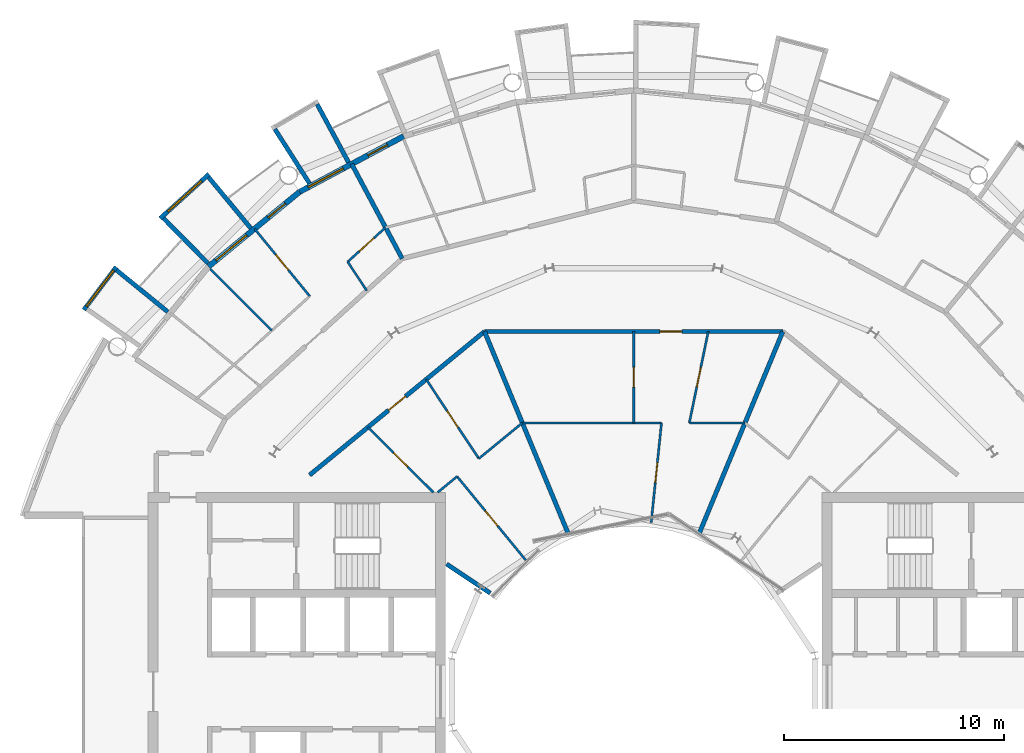
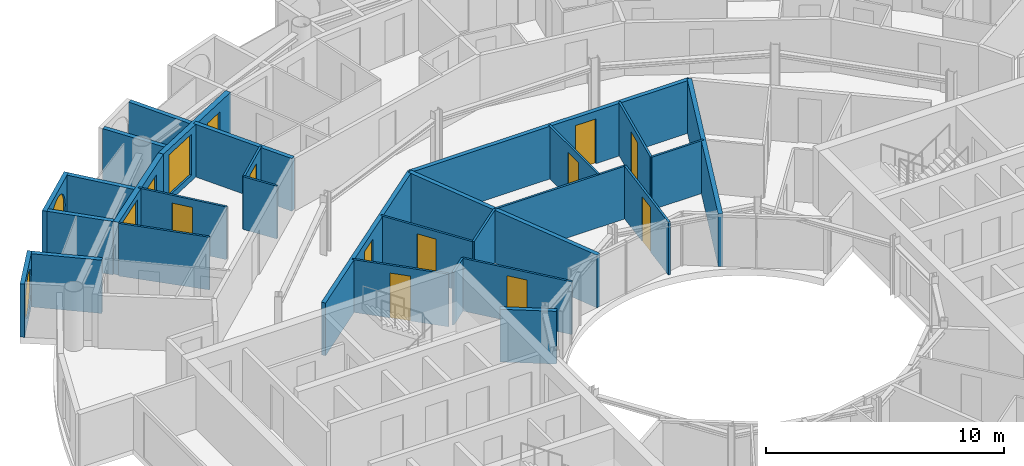
# One storey, part 21 of 29: 29 walls, 12 doors, 4 windows, 16 openings.
"""IFC4 building model written with IfcOpenShell, lengths in metres."""

from ifc_helpers import new_model, si_unit, direction, frame, frame_2d, origin, place, context, subcontext, project, spatial, rectangle, circle, extrude, material, layer, layer_set, type_object, element, fill, save


model = new_model("IFC4")

# Units and contexts
model_context = context("Model", 3, precision=1e-05, world=origin(), true_north=direction((0.0, 1.0)))
body_context = subcontext(model_context, "Body", "Model", "MODEL_VIEW")
ifc_project = project(units=[si_unit("LENGTHUNIT", "METRE"), si_unit("AREAUNIT", "SQUARE_METRE"), si_unit("VOLUMEUNIT", "CUBIC_METRE"), si_unit("PLANEANGLEUNIT", "RADIAN"), si_unit("MASSUNIT", "GRAM", prefix="KILO")], contexts=[model_context])

# Site, building, storey
site_placement = place(None, origin())
site = spatial("IfcSite", under=ifc_project, at=site_placement, CompositionType="ELEMENT")
building_placement = place(site_placement, origin())
building = spatial("IfcBuilding", under=site, at=building_placement, Name="Maasbend Ring Residences", CompositionType="ELEMENT")
storey_placement = place(building_placement, frame((0.0, 0.0, 212.699951171875)))
storey = spatial("IfcBuildingStorey", under=building, at=storey_placement, Name="L61", CompositionType="ELEMENT", Elevation=212.699951171875)

# Wall, opening, door
ifc_material_1 = material(Name="Concrete C30/37", Category="concrete")
ifc_layer_1 = layer(ifc_material_1, 0.199951171875)
ifc_layer_set_1 = layer_set([ifc_layer_1], Name="Concrete C30/37")
wall_type_1 = type_object("IfcWallType", Name="CORRIDOR WALL 200 CONCRETE", PredefinedType="PARTITIONING", material=ifc_layer_set_1)
wall_1_placement = place(storey_placement, frame((-6.77294921875, 16.35302734375, 0.0), z_axis=(0.0, 0.0, 1.0), x_axis=(1.0, 0.0, 0.0)))
wall_1 = element("IfcWall", 1, at=wall_1_placement, inside=storey, type_object=wall_type_1, Name="U-L61-w107", PredefinedType="PARTITIONING", context=body_context, shape_type="SweptSolid", body=[
    extrude(rectangle(XDim=13.5458984375, YDim=0.199951171875, at=frame_2d((6.77294921875, 0.0))), origin(), (0.0, 0.0, 1.0), 2.699951171875),
])
opening_1_placement = place(wall_1_placement, frame((7.966064453125, 0.0, 0.0)))
opening_1 = element("IfcOpeningElement", 2, at=opening_1_placement, cuts=wall_1, Name="Opening D-6127", PredefinedType="OPENING", context=body_context, shape_type="SweptSolid", body=[
    extrude(rectangle(XDim=1.0, YDim=2.300048828125, at=frame_2d((0.5, 1.14990234375))), frame((0.0, 0.10986328125, 0.0), z_axis=(0.0, -1.0, 0.0), x_axis=(1.0, 0.0, 0.0)), (0.0, 0.0, 1.0), 0.219970703125),
])
ifc_material_2 = material(Name="Timber, fire-rated, painted", Category="wood")
door_type_1 = type_object("IfcDoorType", Name="FLAT ENTRANCE DOOR 1000 X 2300 FIRE-RATED", OperationType="NOTDEFINED", PredefinedType="DOOR", material=ifc_material_2)
door_1_placement = place(opening_1_placement, origin())
door_1 = element("IfcDoor", 3, at=door_1_placement, inside=storey, type_object=door_type_1, Name="D-6127", OperationType="SINGLE_SWING_RIGHT", OverallHeight=2.300048828125, OverallWidth=1.0, PredefinedType="DOOR", context=body_context, shape_type="SweptSolid", body=[
    extrude(rectangle(XDim=1.0, YDim=2.300048828125, at=frame_2d((0.5, 1.14990234375))), frame((0.0, 0.02490234375, 0.0), z_axis=(0.0, -1.0, 0.0), x_axis=(1.0, 0.0, 0.0)), (0.0, 0.0, 1.0), 0.050048828125),
])
fill(opening_1, door_1)

wall_2_placement = place(storey_placement, frame((-14.717041015625, 9.833984375, 0.0), z_axis=(0.0, 0.0, 1.0), x_axis=(0.773034536097, 0.634363938131, 0.0)))
wall_2 = element("IfcWall", 4, at=wall_2_placement, inside=storey, type_object=wall_type_1, Name="U-L61-w108", PredefinedType="PARTITIONING", context=body_context, shape_type="SweptSolid", body=[
    extrude(rectangle(XDim=10.276611328125, YDim=0.199951171875, at=frame_2d((5.13818359375, 0.0))), origin(), (0.0, 0.0, 1.0), 2.699951171875),
])
opening_2_placement = place(wall_2_placement, frame((4.637939453125, 0.0, 0.0)))
opening_2 = element("IfcOpeningElement", 5, at=opening_2_placement, cuts=wall_2, Name="Opening D-6131", PredefinedType="OPENING", context=body_context, shape_type="SweptSolid", body=[
    extrude(rectangle(XDim=1.0, YDim=2.300048828125, at=frame_2d((0.5, 1.14990234375))), frame((0.0, 0.10986328125, 0.0), z_axis=(0.0, -1.0, 0.0), x_axis=(1.0, 0.0, 0.0)), (0.0, 0.0, 1.0), 0.219970703125),
])
door_2_placement = place(opening_2_placement, origin())
door_2 = element("IfcDoor", 6, at=door_2_placement, inside=storey, type_object=door_type_1, Name="D-6131", OperationType="SINGLE_SWING_LEFT", OverallHeight=2.300048828125, OverallWidth=1.0, PredefinedType="DOOR", context=body_context, shape_type="SweptSolid", body=[
    extrude(rectangle(XDim=1.0, YDim=2.300048828125, at=frame_2d((0.5, 1.14990234375))), frame((0.0, 0.02490234375, 0.0), z_axis=(0.0, -1.0, 0.0), x_axis=(1.0, 0.0, 0.0)), (0.0, 0.0, 1.0), 0.050048828125),
])
fill(opening_2, door_2)

# Walls
ifc_material_3 = material(Name="Pale anodised aluminium panel", Category="aluminium")
ifc_layer_2 = layer(ifc_material_3, 0.199951171875)
ifc_layer_set_2 = layer_set([ifc_layer_2], Name="EW-BOX")
wall_type_2 = type_object("IfcWallType", Name="EW-BOX", PredefinedType="SOLIDWALL", material=ifc_layer_set_2)
wall_3_placement = place(storey_placement, frame((-12.945068359375, 24.029052734375, -0.030029296875), z_axis=(0.0, 0.0, 1.0), x_axis=(-0.474424310775, 0.88029629861, 0.0)))
element("IfcWall", 7, at=wall_3_placement, inside=storey, type_object=wall_type_2, Name="Box side wall N16 left", PredefinedType="SOLIDWALL", context=body_context, shape_type="SweptSolid", body=[
    extrude(rectangle(XDim=3.005859375, YDim=0.199951171875, at=frame_2d((1.5029296875, 0.0))), origin(), (0.0, 0.0, 1.0), 2.72998046875),
])
wall_4_placement = place(storey_placement, frame((-14.721923828125, 23.0791015625, -0.030029296875), z_axis=(0.0, 0.0, 1.0), x_axis=(-0.537572179146, 0.843217737129, 0.0)))
element("IfcWall", 8, at=wall_4_placement, inside=storey, type_object=wall_type_2, Name="Box side wall N16 right", PredefinedType="SOLIDWALL", context=body_context, shape_type="SweptSolid", body=[
    extrude(rectangle(XDim=2.92431640625, YDim=0.199951171875, at=frame_2d((1.462158203125, 0.0))), origin(), (0.0, 0.0, 1.0), 2.72998046875),
])

# Wall, opening, window
wall_5_placement = place(storey_placement, frame((-19.281982421875, 23.5029296875, -0.030029296875), z_axis=(0.0, 0.0, 1.0), x_axis=(-0.740998365753, -0.671506829416, 0.0)))
wall_5 = element("IfcWall", 9, at=wall_5_placement, inside=storey, type_object=wall_type_2, Name="Box front N18", PredefinedType="SOLIDWALL", context=body_context, shape_type="SweptSolid", body=[
    extrude(rectangle(XDim=2.9931640625, YDim=0.199951171875, at=frame_2d((1.49658203125, 0.0))), origin(), (0.0, 0.0, 1.0), 2.72998046875),
])
opening_3_placement = place(wall_5_placement, frame((0.45654296875, 0.0, 0.330078125)))
opening_3 = element("IfcOpeningElement", 10, at=opening_3_placement, cuts=wall_5, Name="Opening W-RD", PredefinedType="OPENING", context=body_context, shape_type="SweptSolid", body=[
    extrude(circle(Radius=1.0400390625, at=frame_2d((1.0400390625, 1.0400390625))), frame((0.0, 0.10986328125, 0.0), z_axis=(0.0, -1.0, 0.0), x_axis=(1.0, 0.0, 0.0)), (0.0, 0.0, 1.0), 0.219970703125),
])
ifc_material_4 = material(Name="Aluminium and clear glass", Category="aluminium")
window_type_1 = type_object("IfcWindowType", Name="W-RD", PartitioningType="SINGLE_PANEL", PredefinedType="WINDOW", material=ifc_material_4)
window_1_placement = place(opening_3_placement, origin())
window_1 = element("IfcWindow", 11, at=window_1_placement, inside=storey, type_object=window_type_1, Name="Round window N18", OverallHeight=2.080078125, OverallWidth=2.080078125, PartitioningType="SINGLE_PANEL", PredefinedType="WINDOW", context=body_context, shape_type="SweptSolid", body=[
    extrude(circle(Radius=1.0400390625, at=frame_2d((1.0400390625, 1.0400390625))), frame((0.0, 0.030029296875, 0.0), z_axis=(0.0, -1.0, 0.0), x_axis=(1.0, 0.0, 0.0)), (0.0, 0.0, 1.0), 0.06005859375),
])
fill(opening_3, window_1)

# Walls
wall_6_placement = place(storey_placement, frame((-17.384033203125, 21.041015625, -0.030029296875), z_axis=(0.0, 0.0, 1.0), x_axis=(-0.63709551667, 0.770784861449, 0.0)))
element("IfcWall", 12, at=wall_6_placement, inside=storey, type_object=wall_type_2, Name="Box side wall N18 left", PredefinedType="SOLIDWALL", context=body_context, shape_type="SweptSolid", body=[
    extrude(rectangle(XDim=3.005859375, YDim=0.199951171875, at=frame_2d((1.5029296875, 0.0))), origin(), (0.0, 0.0, 1.0), 2.72998046875),
])
wall_7_placement = place(storey_placement, frame((-19.322998046875, 19.449951171875, -0.030029296875), z_axis=(0.0, 0.0, 1.0), x_axis=(-0.704476739375, 0.709727076896, 0.0)))
element("IfcWall", 13, at=wall_7_placement, inside=storey, type_object=wall_type_2, Name="Box side wall N18 right", PredefinedType="SOLIDWALL", context=body_context, shape_type="SweptSolid", body=[
    extrude(rectangle(XDim=2.883056640625, YDim=0.199951171875, at=frame_2d((1.44140625, 0.0))), origin(), (0.0, 0.0, 1.0), 2.72998046875),
])

# Wall, opening, window
wall_8_placement = place(storey_placement, frame((-23.4970703125, 19.2890625, -0.030029296875), z_axis=(0.0, 0.0, 1.0), x_axis=(-0.602806268067, -0.797887588059, 0.0)))
wall_8 = element("IfcWall", 14, at=wall_8_placement, inside=storey, type_object=wall_type_2, Name="Box front N20", PredefinedType="SOLIDWALL", context=body_context, shape_type="SweptSolid", body=[
    extrude(rectangle(XDim=2.446533203125, YDim=0.199951171875, at=frame_2d((1.22314453125, 0.0))), origin(), (0.0, 0.0, 1.0), 2.72998046875),
])
opening_4_placement = place(wall_8_placement, frame((0.182861328125, 0.0, 0.330078125)))
opening_4 = element("IfcOpeningElement", 15, at=opening_4_placement, cuts=wall_8, Name="Opening W-RD", PredefinedType="OPENING", context=body_context, shape_type="SweptSolid", body=[
    extrude(circle(Radius=1.0400390625, at=frame_2d((1.0400390625, 1.0400390625))), frame((0.0, 0.10986328125, 0.0), z_axis=(0.0, -1.0, 0.0), x_axis=(1.0, 0.0, 0.0)), (0.0, 0.0, 1.0), 0.219970703125),
])
window_2_placement = place(opening_4_placement, origin())
window_2 = element("IfcWindow", 16, at=window_2_placement, inside=storey, type_object=window_type_1, Name="Round window N20", OverallHeight=2.080078125, OverallWidth=2.080078125, PartitioningType="SINGLE_PANEL", PredefinedType="WINDOW", context=body_context, shape_type="SweptSolid", body=[
    extrude(circle(Radius=1.0400390625, at=frame_2d((1.0400390625, 1.0400390625))), frame((0.0, 0.030029296875, 0.0), z_axis=(0.0, -1.0, 0.0), x_axis=(1.0, 0.0, 0.0)), (0.0, 0.0, 1.0), 0.06005859375),
])
fill(opening_4, window_2)

# Wall
wall_9_placement = place(storey_placement, frame((-21.155029296875, 17.24609375, -0.030029296875), z_axis=(0.0, 0.0, 1.0), x_axis=(-0.775179004516, 0.631741648902, 0.0)))
element("IfcWall", 17, at=wall_9_placement, inside=storey, type_object=wall_type_2, Name="Box side wall N20 left", PredefinedType="SOLIDWALL", context=body_context, shape_type="SweptSolid", body=[
    extrude(rectangle(XDim=3.005859375, YDim=0.199951171875, at=frame_2d((1.5029296875, 0.0))), origin(), (0.0, 0.0, 1.0), 2.72998046875),
])

# Wall, openings, door, window
ifc_material_5 = material(Name="Aluminium clad insulated panel", Category="aluminium")
ifc_layer_3 = layer(ifc_material_5, 0.25)
ifc_layer_set_3 = layer_set([ifc_layer_3], Name="EW-GL")
wall_type_3 = type_object("IfcWallType", Name="EW-GL", PredefinedType="SOLIDWALL", material=ifc_layer_set_3)
wall_10_placement = place(storey_placement, frame((-10.447021484375, 25.221923828125, 0.0), z_axis=(0.0, 0.0, 1.0), x_axis=(-0.881915646801, -0.471407246368, 0.0)))
wall_10 = element("IfcWall", 18, at=wall_10_placement, inside=storey, type_object=wall_type_3, Name="External wall N08", PredefinedType="SOLIDWALL", context=body_context, shape_type="SweptSolid", body=[
    extrude(rectangle(XDim=5.35205078125, YDim=0.25, at=frame_2d((2.676025390625, 0.0))), origin(), (0.0, 0.0, 1.0), 2.699951171875),
])
opening_5_placement = place(wall_10_placement, frame((0.841064453125, 0.0, 0.0)))
opening_5 = element("IfcOpeningElement", 19, at=opening_5_placement, cuts=wall_10, Name="Opening D-LG", PredefinedType="OPENING", context=body_context, shape_type="SweptSolid", body=[
    extrude(rectangle(XDim=1.0, YDim=2.199951171875, at=frame_2d((0.5, 1.10009765625))), frame((0.0, 0.135009765625, 0.0), z_axis=(0.0, -1.0, 0.0), x_axis=(1.0, 0.0, 0.0)), (0.0, 0.0, 1.0), 0.27001953125),
])
opening_6_placement = place(wall_10_placement, frame((3.110595703125, 0.0, 0.300048828125)))
opening_6 = element("IfcOpeningElement", 20, at=opening_6_placement, cuts=wall_10, Name="Opening W-BX", PredefinedType="OPENING", context=body_context, shape_type="SweptSolid", body=[
    extrude(rectangle(XDim=1.800048828125, YDim=2.10009765625, at=frame_2d((0.89990234375, 1.050048828125))), frame((0.0, 0.135009765625, 0.0), z_axis=(0.0, -1.0, 0.0), x_axis=(1.0, 0.0, 0.0)), (0.0, 0.0, 1.0), 0.27001953125),
])
ifc_material_6 = material(Name="Aluminium and clear glass", Category="aluminium")
door_type_2 = type_object("IfcDoorType", Name="D-LG", OperationType="SINGLE_SWING_LEFT", PredefinedType="DOOR", material=ifc_material_6)
door_3_placement = place(opening_5_placement, origin())
door_3 = element("IfcDoor", 21, at=door_3_placement, inside=storey, type_object=door_type_2, Name="Loggia door N15", OperationType="SINGLE_SWING_LEFT", OverallHeight=2.199951171875, OverallWidth=1.0, PredefinedType="DOOR", context=body_context, shape_type="SweptSolid", body=[
    extrude(rectangle(XDim=1.0, YDim=2.199951171875, at=frame_2d((0.5, 1.10009765625))), frame((0.0, 0.02490234375, 0.0), z_axis=(0.0, -1.0, 0.0), x_axis=(1.0, 0.0, 0.0)), (0.0, 0.0, 1.0), 0.050048828125),
])
fill(opening_5, door_3)
ifc_material_7 = material(Name="Aluminium and clear glass", Category="aluminium")
window_type_2 = type_object("IfcWindowType", Name="W-BX", PartitioningType="DOUBLE_PANEL_VERTICAL", PredefinedType="WINDOW", material=ifc_material_7)
window_3_placement = place(opening_6_placement, origin())
window_3 = element("IfcWindow", 22, at=window_3_placement, inside=storey, type_object=window_type_2, Name="Window N16 room to box", OverallHeight=2.10009765625, OverallWidth=1.800048828125, PartitioningType="SINGLE_PANEL", PredefinedType="WINDOW", context=body_context, shape_type="SweptSolid", body=[
    extrude(rectangle(XDim=1.800048828125, YDim=2.10009765625, at=frame_2d((0.89990234375, 1.050048828125))), frame((0.0, 0.030029296875, 0.0), z_axis=(0.0, -1.0, 0.0), x_axis=(1.0, 0.0, 0.0)), (0.0, 0.0, 1.0), 0.06005859375),
])
fill(opening_6, window_3)

wall_11_placement = place(storey_placement, frame((-15.1669921875, 22.698974609375, 0.0), z_axis=(0.0, 0.0, 1.0), x_axis=(-0.773019449054, -0.634382322723, 0.0)))
wall_11 = element("IfcWall", 23, at=wall_11_placement, inside=storey, type_object=wall_type_3, Name="External wall N09", PredefinedType="SOLIDWALL", context=body_context, shape_type="SweptSolid", body=[
    extrude(rectangle(XDim=5.351806640625, YDim=0.25, at=frame_2d((2.67578125, 0.0))), origin(), (0.0, 0.0, 1.0), 2.699951171875),
])
opening_7_placement = place(wall_11_placement, frame((0.841064453125, 0.0, 0.0)))
opening_7 = element("IfcOpeningElement", 24, at=opening_7_placement, cuts=wall_11, Name="Opening D-LG", PredefinedType="OPENING", context=body_context, shape_type="SweptSolid", body=[
    extrude(rectangle(XDim=1.0, YDim=2.199951171875, at=frame_2d((0.5, 1.10009765625))), frame((0.0, 0.135009765625, 0.0), z_axis=(0.0, -1.0, 0.0), x_axis=(1.0, 0.0, 0.0)), (0.0, 0.0, 1.0), 0.27001953125),
])
opening_8_placement = place(wall_11_placement, frame((3.110595703125, 0.0, 0.300048828125)))
opening_8 = element("IfcOpeningElement", 25, at=opening_8_placement, cuts=wall_11, Name="Opening W-BX", PredefinedType="OPENING", context=body_context, shape_type="SweptSolid", body=[
    extrude(rectangle(XDim=1.800048828125, YDim=2.10009765625, at=frame_2d((0.89990234375, 1.050048828125))), frame((0.0, 0.135009765625, 0.0), z_axis=(0.0, -1.0, 0.0), x_axis=(1.0, 0.0, 0.0)), (0.0, 0.0, 1.0), 0.27001953125),
])
door_4_placement = place(opening_7_placement, origin())
door_4 = element("IfcDoor", 26, at=door_4_placement, inside=storey, type_object=door_type_2, Name="Loggia door N17", OperationType="SINGLE_SWING_LEFT", OverallHeight=2.199951171875, OverallWidth=1.0, PredefinedType="DOOR", context=body_context, shape_type="SweptSolid", body=[
    extrude(rectangle(XDim=1.0, YDim=2.199951171875, at=frame_2d((0.5, 1.10009765625))), frame((0.0, 0.02490234375, 0.0), z_axis=(0.0, -1.0, 0.0), x_axis=(1.0, 0.0, 0.0)), (0.0, 0.0, 1.0), 0.050048828125),
])
fill(opening_7, door_4)
window_4_placement = place(opening_8_placement, origin())
window_4 = element("IfcWindow", 27, at=window_4_placement, inside=storey, type_object=window_type_2, Name="Window N18 room to box", OverallHeight=2.10009765625, OverallWidth=1.800048828125, PartitioningType="SINGLE_PANEL", PredefinedType="WINDOW", context=body_context, shape_type="SweptSolid", body=[
    extrude(rectangle(XDim=1.800048828125, YDim=2.10009765625, at=frame_2d((0.89990234375, 1.050048828125))), frame((0.0, 0.030029296875, 0.0), z_axis=(0.0, -1.0, 0.0), x_axis=(1.0, 0.0, 0.0)), (0.0, 0.0, 1.0), 0.06005859375),
])
fill(opening_8, window_4)

# Wall
ifc_material_8 = material(Name="Gypsum board on steel studs", Category="steel")
ifc_layer_4 = layer(ifc_material_8, 0.10009765625)
ifc_layer_set_4 = layer_set([ifc_layer_4], Name="PARTITION 100 GYPSUM")
wall_type_4 = type_object("IfcWallType", Name="PARTITION 100 GYPSUM", PredefinedType="PARTITIONING", material=ifc_layer_set_4)
wall_12_placement = place(storey_placement, frame((-19.23388671875, 19.197021484375, 0.0), z_axis=(0.0, 0.0, 1.0), x_axis=(0.707722727509, -0.706490297858, 0.0)))
element("IfcWall", 28, at=wall_12_placement, inside=storey, type_object=wall_type_4, Name="U-L61-w042", PredefinedType="PARTITIONING", context=body_context, shape_type="SweptSolid", body=[
    extrude(rectangle(XDim=3.9619140625, YDim=0.10009765625, at=frame_2d((1.98095703125, 0.0))), origin(), (0.0, 0.0, 1.0), 2.699951171875),
])

# Wall, opening, door
wall_13_placement = place(storey_placement, frame((-17.218994140625, 21.02294921875, 0.0), z_axis=(0.0, 0.0, 1.0), x_axis=(0.633590098448, -0.773668913133, 0.0)))
wall_13 = element("IfcWall", 29, at=wall_13_placement, inside=storey, type_object=wall_type_4, Name="U-L61-w044", PredefinedType="PARTITIONING", context=body_context, shape_type="SweptSolid", body=[
    extrude(rectangle(XDim=3.961669921875, YDim=0.10009765625, at=frame_2d((1.98095703125, 0.0))), origin(), (0.0, 0.0, 1.0), 2.699951171875),
])
opening_9_placement = place(wall_13_placement, frame((1.531005859375, 0.0, 0.0)))
opening_9 = element("IfcOpeningElement", 30, at=opening_9_placement, cuts=wall_13, Name="Opening D-6120", PredefinedType="OPENING", context=body_context, shape_type="SweptSolid", body=[
    extrude(rectangle(XDim=0.89990234375, YDim=2.300048828125, at=frame_2d((0.449951171875, 1.14990234375))), frame((0.0, 0.06005859375, 0.0), z_axis=(0.0, -1.0, 0.0), x_axis=(1.0, 0.0, 0.0)), (0.0, 0.0, 1.0), 0.1201171875),
])
ifc_material_9 = material(Name="Timber, painted", Category="wood")
door_type_3 = type_object("IfcDoorType", Name="INTERNAL DOOR 900 X 2300", OperationType="NOTDEFINED", PredefinedType="DOOR", material=ifc_material_9)
door_5_placement = place(opening_9_placement, origin())
door_5 = element("IfcDoor", 31, at=door_5_placement, inside=storey, type_object=door_type_3, Name="D-6120", OperationType="SINGLE_SWING_LEFT", OverallHeight=2.300048828125, OverallWidth=0.89990234375, PredefinedType="DOOR", context=body_context, shape_type="SweptSolid", body=[
    extrude(rectangle(XDim=0.89990234375, YDim=2.300048828125, at=frame_2d((0.449951171875, 1.14990234375))), frame((0.0, 0.02490234375, 0.0), z_axis=(0.0, -1.0, 0.0), x_axis=(1.0, 0.0, 0.0)), (0.0, 0.0, 1.0), 0.050048828125),
])
fill(opening_9, door_5)

# Wall
wall_14_placement = place(storey_placement, frame((-12.988037109375, 19.51806640625, 0.0), z_axis=(0.0, 0.0, 1.0), x_axis=(0.554125989098, -0.832432813028, 0.0)))
element("IfcWall", 32, at=wall_14_placement, inside=storey, type_object=wall_type_4, Name="U-L61-w046", PredefinedType="PARTITIONING", context=body_context, shape_type="SweptSolid", body=[
    extrude(rectangle(XDim=1.5703125, YDim=0.10009765625, at=frame_2d((0.78515625, 0.0))), origin(), (0.0, 0.0, 1.0), 2.699951171875),
])

# Wall, opening, door
wall_15_placement = place(storey_placement, frame((-12.069091796875, 12.007080078125, 0.0), z_axis=(0.0, 0.0, 1.0), x_axis=(0.708909651863, -0.705299302067, 0.0)))
wall_15 = element("IfcWall", 33, at=wall_15_placement, inside=storey, type_object=wall_type_4, Name="U-L61-w049", PredefinedType="PARTITIONING", context=body_context, shape_type="SweptSolid", body=[
    extrude(rectangle(XDim=4.192626953125, YDim=0.10009765625, at=frame_2d((2.09619140625, 0.0))), origin(), (0.0, 0.0, 1.0), 2.699951171875),
])
opening_10_placement = place(wall_15_placement, frame((1.64599609375, 0.0, 0.0)))
opening_10 = element("IfcOpeningElement", 34, at=opening_10_placement, cuts=wall_15, Name="Opening D-6133", PredefinedType="OPENING", context=body_context, shape_type="SweptSolid", body=[
    extrude(rectangle(XDim=0.89990234375, YDim=2.300048828125, at=frame_2d((0.449951171875, 1.14990234375))), frame((0.0, 0.06005859375, 0.0), z_axis=(0.0, -1.0, 0.0), x_axis=(1.0, 0.0, 0.0)), (0.0, 0.0, 1.0), 0.1201171875),
])
door_6_placement = place(opening_10_placement, origin())
door_6 = element("IfcDoor", 35, at=door_6_placement, inside=storey, type_object=door_type_3, Name="D-6133", OperationType="SINGLE_SWING_RIGHT", OverallHeight=2.300048828125, OverallWidth=0.89990234375, PredefinedType="DOOR", context=body_context, shape_type="SweptSolid", body=[
    extrude(rectangle(XDim=0.89990234375, YDim=2.300048828125, at=frame_2d((0.449951171875, 1.14990234375))), frame((0.0, 0.02490234375, 0.0), z_axis=(0.0, -1.0, 0.0), x_axis=(1.0, 0.0, 0.0)), (0.0, 0.0, 1.0), 0.050048828125),
])
fill(opening_10, door_6)

wall_16_placement = place(storey_placement, frame((-9.4208984375, 14.179931640625, 0.0), z_axis=(0.0, 0.0, 1.0), x_axis=(0.553303732327, -0.832979579457, 0.0)))
wall_16 = element("IfcWall", 36, at=wall_16_placement, inside=storey, type_object=wall_type_4, Name="U-L61-w051", PredefinedType="PARTITIONING", context=body_context, shape_type="SweptSolid", body=[
    extrude(rectangle(XDim=4.3193359375, YDim=0.10009765625, at=frame_2d((2.15966796875, 0.0))), origin(), (0.0, 0.0, 1.0), 2.699951171875),
])
opening_11_placement = place(wall_16_placement, frame((1.7099609375, 0.0, 0.0)))
opening_11 = element("IfcOpeningElement", 37, at=opening_11_placement, cuts=wall_16, Name="Opening D-6132", PredefinedType="OPENING", context=body_context, shape_type="SweptSolid", body=[
    extrude(rectangle(XDim=0.89990234375, YDim=2.300048828125, at=frame_2d((0.449951171875, 1.14990234375))), frame((0.0, 0.06005859375, 0.0), z_axis=(0.0, -1.0, 0.0), x_axis=(1.0, 0.0, 0.0)), (0.0, 0.0, 1.0), 0.1201171875),
])
door_7_placement = place(opening_11_placement, origin())
door_7 = element("IfcDoor", 38, at=door_7_placement, inside=storey, type_object=door_type_3, Name="D-6132", OperationType="SINGLE_SWING_RIGHT", OverallHeight=2.300048828125, OverallWidth=0.89990234375, PredefinedType="DOOR", context=body_context, shape_type="SweptSolid", body=[
    extrude(rectangle(XDim=0.89990234375, YDim=2.300048828125, at=frame_2d((0.449951171875, 1.14990234375))), frame((0.0, 0.02490234375, 0.0), z_axis=(0.0, -1.0, 0.0), x_axis=(1.0, 0.0, 0.0)), (0.0, 0.0, 1.0), 0.050048828125),
])
fill(opening_11, door_7)

wall_17_placement = place(storey_placement, frame((-8.01904296875, 9.77099609375, 0.0), z_axis=(0.0, 0.0, 1.0), x_axis=(0.634401778971, -0.773003481776, 0.0)))
wall_17 = element("IfcWall", 39, at=wall_17_placement, inside=storey, type_object=wall_type_4, Name="U-L61-w053", PredefinedType="PARTITIONING", context=body_context, shape_type="SweptSolid", body=[
    extrude(rectangle(XDim=4.919677734375, YDim=0.10009765625, at=frame_2d((2.4599609375, 0.0))), origin(), (0.0, 0.0, 1.0), 2.699951171875),
])
opening_12_placement = place(wall_17_placement, frame((2.010009765625, 0.0, 0.0)))
opening_12 = element("IfcOpeningElement", 40, at=opening_12_placement, cuts=wall_17, Name="Opening D-6134", PredefinedType="OPENING", context=body_context, shape_type="SweptSolid", body=[
    extrude(rectangle(XDim=0.89990234375, YDim=2.300048828125, at=frame_2d((0.449951171875, 1.14990234375))), frame((0.0, 0.06005859375, 0.0), z_axis=(0.0, -1.0, 0.0), x_axis=(1.0, 0.0, 0.0)), (0.0, 0.0, 1.0), 0.1201171875),
])
door_8_placement = place(opening_12_placement, origin())
door_8 = element("IfcDoor", 41, at=door_8_placement, inside=storey, type_object=door_type_3, Name="D-6134", OperationType="SINGLE_SWING_RIGHT", OverallHeight=2.300048828125, OverallWidth=0.89990234375, PredefinedType="DOOR", context=body_context, shape_type="SweptSolid", body=[
    extrude(rectangle(XDim=0.89990234375, YDim=2.300048828125, at=frame_2d((0.449951171875, 1.14990234375))), frame((0.0, 0.02490234375, 0.0), z_axis=(0.0, -1.0, 0.0), x_axis=(1.0, 0.0, 0.0)), (0.0, 0.0, 1.0), 0.050048828125),
])
fill(opening_12, door_8)

wall_18_placement = place(storey_placement, frame((0.0, 12.2041015625, 0.0), z_axis=(0.0, 0.0, 1.0), x_axis=(0.0, 1.0, 0.0)))
wall_18 = element("IfcWall", 42, at=wall_18_placement, inside=storey, type_object=wall_type_4, Name="U-L61-w065", PredefinedType="PARTITIONING", context=body_context, shape_type="SweptSolid", body=[
    extrude(rectangle(XDim=4.14892578125, YDim=0.10009765625, at=frame_2d((2.074462890625, 0.0))), origin(), (0.0, 0.0, 1.0), 2.699951171875),
])
opening_13_placement = place(wall_18_placement, frame((1.625, 0.0, 0.0)))
opening_13 = element("IfcOpeningElement", 43, at=opening_13_placement, cuts=wall_18, Name="Opening D-6129", PredefinedType="OPENING", context=body_context, shape_type="SweptSolid", body=[
    extrude(rectangle(XDim=0.89990234375, YDim=2.300048828125, at=frame_2d((0.449951171875, 1.14990234375))), frame((0.0, 0.06005859375, 0.0), z_axis=(0.0, -1.0, 0.0), x_axis=(1.0, 0.0, 0.0)), (0.0, 0.0, 1.0), 0.1201171875),
])
door_9_placement = place(opening_13_placement, origin())
door_9 = element("IfcDoor", 44, at=door_9_placement, inside=storey, type_object=door_type_3, Name="D-6129", OperationType="SINGLE_SWING_RIGHT", OverallHeight=2.300048828125, OverallWidth=0.89990234375, PredefinedType="DOOR", context=body_context, shape_type="SweptSolid", body=[
    extrude(rectangle(XDim=0.89990234375, YDim=2.300048828125, at=frame_2d((0.449951171875, 1.14990234375))), frame((0.0, 0.02490234375, 0.0), z_axis=(0.0, -1.0, 0.0), x_axis=(1.0, 0.0, 0.0)), (0.0, 0.0, 1.0), 0.050048828125),
])
fill(opening_13, door_9)

wall_19_placement = place(storey_placement, frame((0.794921875, 7.678955078125, 0.0), z_axis=(0.0, 0.0, 1.0), x_axis=(0.103089563582, 0.994672077561, 0.0)))
wall_19 = element("IfcWall", 45, at=wall_19_placement, inside=storey, type_object=wall_type_4, Name="U-L61-w068", PredefinedType="PARTITIONING", context=body_context, shape_type="SweptSolid", body=[
    extrude(rectangle(XDim=4.54931640625, YDim=0.10009765625, at=frame_2d((2.274658203125, 0.0))), origin(), (0.0, 0.0, 1.0), 2.699951171875),
])
opening_14_placement = place(wall_19_placement, frame((1.824951171875, 0.0, 0.0)))
opening_14 = element("IfcOpeningElement", 46, at=opening_14_placement, cuts=wall_19, Name="Opening D-6130", PredefinedType="OPENING", context=body_context, shape_type="SweptSolid", body=[
    extrude(rectangle(XDim=0.89990234375, YDim=2.300048828125, at=frame_2d((0.449951171875, 1.14990234375))), frame((0.0, 0.06005859375, 0.0), z_axis=(0.0, -1.0, 0.0), x_axis=(1.0, 0.0, 0.0)), (0.0, 0.0, 1.0), 0.1201171875),
])
door_10_placement = place(opening_14_placement, origin())
door_10 = element("IfcDoor", 47, at=door_10_placement, inside=storey, type_object=door_type_3, Name="D-6130", OperationType="SINGLE_SWING_RIGHT", OverallHeight=2.300048828125, OverallWidth=0.89990234375, PredefinedType="DOOR", context=body_context, shape_type="SweptSolid", body=[
    extrude(rectangle(XDim=0.89990234375, YDim=2.300048828125, at=frame_2d((0.449951171875, 1.14990234375))), frame((0.0, 0.02490234375, 0.0), z_axis=(0.0, -1.0, 0.0), x_axis=(1.0, 0.0, 0.0)), (0.0, 0.0, 1.0), 0.050048828125),
])
fill(opening_14, door_10)

wall_20_placement = place(storey_placement, frame((2.527099609375, 12.2041015625, 0.0), z_axis=(0.0, 0.0, 1.0), x_axis=(0.202937120105, 0.979191771454, 0.0)))
wall_20 = element("IfcWall", 48, at=wall_20_placement, inside=storey, type_object=wall_type_4, Name="U-L61-w072", PredefinedType="PARTITIONING", context=body_context, shape_type="SweptSolid", body=[
    extrude(rectangle(XDim=4.237060546875, YDim=0.10009765625, at=frame_2d((2.11865234375, 0.0))), origin(), (0.0, 0.0, 1.0), 2.699951171875),
])
opening_15_placement = place(wall_20_placement, frame((1.6689453125, 0.0, 0.0)))
opening_15 = element("IfcOpeningElement", 49, at=opening_15_placement, cuts=wall_20, Name="Opening D-6128", PredefinedType="OPENING", context=body_context, shape_type="SweptSolid", body=[
    extrude(rectangle(XDim=0.89990234375, YDim=2.300048828125, at=frame_2d((0.449951171875, 1.14990234375))), frame((0.0, 0.06005859375, 0.0), z_axis=(0.0, -1.0, 0.0), x_axis=(1.0, 0.0, 0.0)), (0.0, 0.0, 1.0), 0.1201171875),
])
door_11_placement = place(opening_15_placement, origin())
door_11 = element("IfcDoor", 50, at=door_11_placement, inside=storey, type_object=door_type_3, Name="D-6128", OperationType="SINGLE_SWING_RIGHT", OverallHeight=2.300048828125, OverallWidth=0.89990234375, PredefinedType="DOOR", context=body_context, shape_type="SweptSolid", body=[
    extrude(rectangle(XDim=0.89990234375, YDim=2.300048828125, at=frame_2d((0.449951171875, 1.14990234375))), frame((0.0, 0.02490234375, 0.0), z_axis=(0.0, -1.0, 0.0), x_axis=(1.0, 0.0, 0.0)), (0.0, 0.0, 1.0), 0.050048828125),
])
fill(opening_15, door_11)

# Walls
wall_21_placement = place(storey_placement, frame((-5.054931640625, 12.2041015625, 0.0), z_axis=(0.0, 0.0, 1.0), x_axis=(1.0, 0.0, 0.0)))
element("IfcWall", 51, at=wall_21_placement, inside=storey, type_object=wall_type_4, Name="U-L61-w101", PredefinedType="PARTITIONING", context=body_context, shape_type="SweptSolid", body=[
    extrude(rectangle(XDim=6.31884765625, YDim=0.10009765625, at=frame_2d((3.159423828125, 0.0))), origin(), (0.0, 0.0, 1.0), 2.699951171875),
])
wall_22_placement = place(storey_placement, frame((2.527099609375, 12.2041015625, 0.0), z_axis=(0.0, 0.0, 1.0), x_axis=(1.0, 0.0, 0.0)))
element("IfcWall", 52, at=wall_22_placement, inside=storey, type_object=wall_type_4, Name="U-L61-w102", PredefinedType="PARTITIONING", context=body_context, shape_type="SweptSolid", body=[
    extrude(rectangle(XDim=2.52783203125, YDim=0.10009765625, at=frame_2d((1.263916015625, 0.0))), origin(), (0.0, 0.0, 1.0), 2.699951171875),
])
wall_23_placement = place(storey_placement, frame((-8.902099609375, 9.0458984375, 0.0), z_axis=(0.0, 0.0, 1.0), x_axis=(0.772842270779, 0.63459815986, 0.0)))
element("IfcWall", 53, at=wall_23_placement, inside=storey, type_object=wall_type_4, Name="U-L61-w103", PredefinedType="PARTITIONING", context=body_context, shape_type="SweptSolid", body=[
    extrude(rectangle(XDim=1.142578125, YDim=0.10009765625, at=frame_2d((0.5712890625, 0.0))), origin(), (0.0, 0.0, 1.0), 2.699951171875),
])
wall_24_placement = place(storey_placement, frame((-7.032958984375, 10.5810546875, 0.0), z_axis=(0.0, 0.0, 1.0), x_axis=(0.772990508216, 0.634417586617, 0.0)))
element("IfcWall", 54, at=wall_24_placement, inside=storey, type_object=wall_type_4, Name="U-L61-w104", PredefinedType="PARTITIONING", context=body_context, shape_type="SweptSolid", body=[
    extrude(rectangle(XDim=2.556396484375, YDim=0.10009765625, at=frame_2d((1.2783203125, 0.0))), origin(), (0.0, 0.0, 1.0), 2.699951171875),
])

# Wall, opening, door
wall_25_placement = place(storey_placement, frame((-12.992919921875, 19.512939453125, 0.0), z_axis=(0.0, 0.0, 1.0), x_axis=(0.74087097024, 0.671647381783, 0.0)))
wall_25 = element("IfcWall", 55, at=wall_25_placement, inside=storey, type_object=wall_type_4, Name="U-L61-w120", PredefinedType="PARTITIONING", context=body_context, shape_type="SweptSolid", body=[
    extrude(rectangle(XDim=2.32421875, YDim=0.10009765625, at=frame_2d((1.162109375, 0.0))), origin(), (0.0, 0.0, 1.0), 2.699951171875),
])
opening_16_placement = place(wall_25_placement, frame((0.718994140625, 0.0, 0.0)))
opening_16 = element("IfcOpeningElement", 56, at=opening_16_placement, cuts=wall_25, Name="Opening D-6118", PredefinedType="OPENING", context=body_context, shape_type="SweptSolid", body=[
    extrude(rectangle(XDim=0.89990234375, YDim=2.300048828125, at=frame_2d((0.449951171875, 1.14990234375))), frame((0.0, 0.06005859375, 0.0), z_axis=(0.0, -1.0, 0.0), x_axis=(1.0, 0.0, 0.0)), (0.0, 0.0, 1.0), 0.1201171875),
])
door_12_placement = place(opening_16_placement, origin())
door_12 = element("IfcDoor", 57, at=door_12_placement, inside=storey, type_object=door_type_3, Name="D-6118", OperationType="SINGLE_SWING_RIGHT", OverallHeight=2.300048828125, OverallWidth=0.89990234375, PredefinedType="DOOR", context=body_context, shape_type="SweptSolid", body=[
    extrude(rectangle(XDim=0.89990234375, YDim=2.300048828125, at=frame_2d((0.449951171875, 1.14990234375))), frame((0.0, 0.02490234375, 0.0), z_axis=(0.0, -1.0, 0.0), x_axis=(1.0, 0.0, 0.0)), (0.0, 0.0, 1.0), 0.050048828125),
])
fill(opening_16, door_12)

# Walls
ifc_material_10 = material(Name="Concrete C30/37", Category="concrete")
ifc_layer_5 = layer(ifc_material_10, 0.199951171875)
ifc_layer_set_5 = layer_set([ifc_layer_5], Name="Concrete C30/37")
wall_type_5 = type_object("IfcWallType", Name="PARTY WALL 200 CONCRETE", PredefinedType="PARTITIONING", material=ifc_layer_set_5)
wall_26_placement = place(storey_placement, frame((-12.80908203125, 23.966064453125, 0.0), z_axis=(0.0, 0.0, 1.0), x_axis=(0.471271812246, -0.881988026553, 0.0)))
element("IfcWall", 58, at=wall_26_placement, inside=storey, type_object=wall_type_5, Name="U-L61-w048", PredefinedType="PARTITIONING", context=body_context, shape_type="SweptSolid", body=[
    extrude(rectangle(XDim=4.874267578125, YDim=0.199951171875, at=frame_2d((2.43701171875, 0.0))), origin(), (0.0, 0.0, 1.0), 2.699951171875),
])
wall_27_placement = place(storey_placement, frame((-6.77294921875, 16.35302734375, 0.0), z_axis=(0.0, 0.0, 1.0), x_axis=(0.382549125466, -0.923935152814, 0.0)))
element("IfcWall", 59, at=wall_27_placement, inside=storey, type_object=wall_type_5, Name="U-L61-w055", PredefinedType="PARTITIONING", context=body_context, shape_type="SweptSolid", body=[
    extrude(rectangle(XDim=9.97998046875, YDim=0.199951171875, at=frame_2d((4.989990234375, 0.0))), origin(), (0.0, 0.0, 1.0), 2.699951171875),
])
wall_28_placement = place(storey_placement, frame((2.9541015625, 7.132080078125, 0.0), z_axis=(0.0, 0.0, 1.0), x_axis=(0.382632652025, 0.923900564782, 0.0)))
element("IfcWall", 60, at=wall_28_placement, inside=storey, type_object=wall_type_5, Name="U-L61-w074", PredefinedType="PARTITIONING", context=body_context, shape_type="SweptSolid", body=[
    extrude(rectangle(XDim=9.98046875, YDim=0.199951171875, at=frame_2d((4.990234375, 0.0))), origin(), (0.0, 0.0, 1.0), 2.699951171875),
])
wall_29_placement = place(storey_placement, frame((-6.512939453125, 4.471923828125, 0.0), z_axis=(0.0, 0.0, 1.0), x_axis=(-0.831403409976, 0.555669299026, 0.0)))
element("IfcWall", 61, at=wall_29_placement, inside=storey, type_object=wall_type_5, Name="U-L61-w097", PredefinedType="PARTITIONING", context=body_context, shape_type="SweptSolid", body=[
    extrude(rectangle(XDim=2.382568359375, YDim=0.199951171875, at=frame_2d((1.19140625, 0.0))), origin(), (0.0, 0.0, 1.0), 2.699951171875),
])

save(model, "model.ifc")
